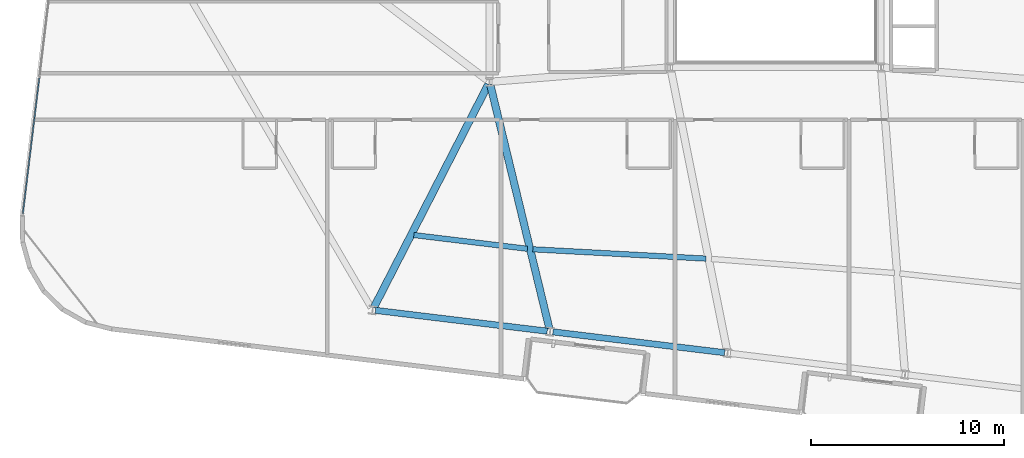
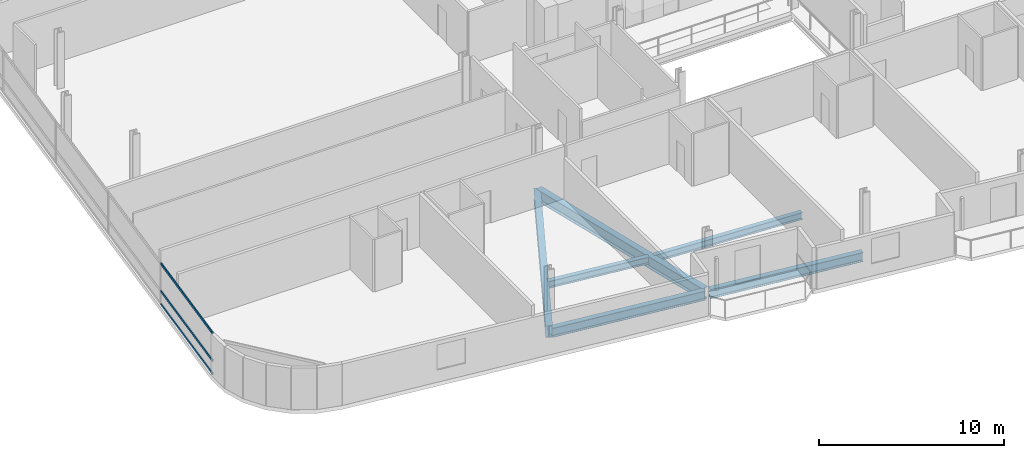
# One storey, part 3 of 26: 6 beams, 3 members, 1 element without a shape of its own.
"""IFC4 building model written with IfcOpenShell, lengths in metres."""

from ifc_helpers import new_model, si_unit, direction, frame, origin, origin_2d, place, context, subcontext, project, spatial, hollow_rectangle, i_section, extrude, material, layer, layer_set, material_profile, profile_set, type_object, element, aggregate, save


model = new_model("IFC4")

# Units and contexts
model_context = context("Model", 3, precision=1e-05, world=origin(), true_north=direction((0.0, 1.0)))
body_context = subcontext(model_context, "Body", "Model", "MODEL_VIEW")
ifc_project = project(units=[si_unit("LENGTHUNIT", "METRE"), si_unit("AREAUNIT", "SQUARE_METRE"), si_unit("VOLUMEUNIT", "CUBIC_METRE"), si_unit("PLANEANGLEUNIT", "RADIAN"), si_unit("MASSUNIT", "GRAM", prefix="KILO")], contexts=[model_context])

# Site, building, storey
site_placement = place(None, origin())
site = spatial("IfcSite", under=ifc_project, at=site_placement, CompositionType="ELEMENT")
building_placement = place(site_placement, origin())
building = spatial("IfcBuilding", under=site, at=building_placement, Name="Varnelok Gate Tower", CompositionType="ELEMENT")
storey_placement = place(building_placement, frame((0.0, 0.0, 151.300048828125)))
storey = spatial("IfcBuildingStorey", under=building, at=storey_placement, Name="L38", CompositionType="ELEMENT", Elevation=151.300048828125)

# Beams
ifc_material_1 = material(Name="Structural Steel ASTM A992 Grade 50", Category="steel")
ifc_material_profile_1 = material_profile(ifc_material_1, i_section(OverallWidth=0.280029296875, OverallDepth=0.462890625, WebThickness=0.0107421875, FlangeThickness=0.017333984375, FilletRadius=0.014892578125, at=origin_2d()), Name="W18X76")
ifc_profile_set_1 = profile_set([ifc_material_profile_1], Name="Structural Steel ASTM A992 Grade 50")
beam_type_1 = type_object("IfcBeamType", Name="BM-JST-W18X76", PredefinedType="JOIST", material=ifc_profile_set_1)
beam_1_placement = place(storey_placement, frame((20.482666015625, 10.875, -0.4814453125), z_axis=(0.992731840387, -0.120347385022, 0.0), x_axis=(0.120347385022, 0.992731840387, 0.0)))
element("IfcBeam", 1, at=beam_1_placement, inside=storey, type_object=beam_type_1, Name="L38 Sector Floor Joist 1", PredefinedType="JOIST", context=body_context, shape_type="SweptSolid", body=[
    extrude(i_section(OverallWidth=0.280029296875, OverallDepth=0.462890625, WebThickness=0.0107421875, FlangeThickness=0.017333984375, FilletRadius=0.014892578125, at=origin_2d()), origin(), (0.0, 0.0, 1.0), 5.91748046875),
])
beam_2_placement = place(storey_placement, frame((26.635986328125, 10.138427734375, -0.4814453125), z_axis=(0.998547263771, -0.053882854557, 0.0), x_axis=(0.053882854557, 0.998547263771, 0.0)))
element("IfcBeam", 2, at=beam_2_placement, inside=storey, type_object=beam_type_1, Name="L38 Sector Floor Joist 2", PredefinedType="JOIST", context=body_context, shape_type="SweptSolid", body=[
    extrude(i_section(OverallWidth=0.280029296875, OverallDepth=0.462890625, WebThickness=0.0107421875, FlangeThickness=0.017333984375, FilletRadius=0.014892578125, at=origin_2d()), origin(), (0.0, 0.0, 1.0), 8.97119140625),
])
ifc_material_profile_2 = material_profile(ifc_material_1, i_section(OverallWidth=0.381103515625, OverallDepth=0.77294921875, WebThickness=0.0166015625, FlangeThickness=0.027099609375, FilletRadius=0.02197265625, at=origin_2d()), Name="W30X173")
ifc_profile_set_2 = profile_set([ifc_material_profile_2], Name="Structural Steel ASTM A992 Grade 50")
beam_type_2 = type_object("IfcBeamType", Name="BM-PRI-W30X173", PredefinedType="BEAM", material=ifc_profile_set_2)
beam_3_placement = place(storey_placement, frame((24.33154296875, 18.66650390625, -0.636474609375), z_axis=(-0.456386604987, -0.889781583754, 0.0), x_axis=(0.889781583754, -0.456386604987, 0.0)))
element("IfcBeam", 3, at=beam_3_placement, inside=storey, type_object=beam_type_2, Name="L38 Radial Floor Girder 1", PredefinedType="BEAM", context=body_context, shape_type="SweptSolid", body=[
    extrude(i_section(OverallWidth=0.381103515625, OverallDepth=0.77294921875, WebThickness=0.0166015625, FlangeThickness=0.027099609375, FilletRadius=0.02197265625, at=origin_2d()), origin(), (0.0, 0.0, 1.0), 12.96533203125),
])
beam_4_placement = place(storey_placement, frame((24.435302734375, 18.654296875, -0.636474609375), z_axis=(0.235400453941, -0.971898465008, 0.0), x_axis=(0.971898465008, 0.235400453941, 0.0)))
element("IfcBeam", 4, at=beam_4_placement, inside=storey, type_object=beam_type_2, Name="L38 Radial Floor Girder 2", PredefinedType="BEAM", context=body_context, shape_type="SweptSolid", body=[
    extrude(i_section(OverallWidth=0.381103515625, OverallDepth=0.77294921875, WebThickness=0.0166015625, FlangeThickness=0.027099609375, FilletRadius=0.02197265625, at=origin_2d()), origin(), (0.0, 0.0, 1.0), 12.989990234375),
])
ifc_material_profile_3 = material_profile(ifc_material_1, i_section(OverallWidth=0.323974609375, OverallDepth=0.611083984375, WebThickness=0.0126953125, FlangeThickness=0.01904296875, FilletRadius=0.01806640625, at=origin_2d()), Name="W24X104")
ifc_profile_set_3 = profile_set([ifc_material_profile_3], Name="Structural Steel ASTM A992 Grade 50")
beam_type_3 = type_object("IfcBeamType", Name="BM-SPN-W24X104", PredefinedType="SPANDREL", material=ifc_profile_set_3)
for number, where, z_axis, x_axis, name in (
    (5, (18.49462890625, 6.978515625, -0.5556640625), (0.992734670707, -0.120324035735, 0.0), (0.120324035735, 0.992734670707, 0.0), "L38 Perimeter Spandrel Beam 1"),
    (6, (27.677490234375, 5.865478515625, -0.5556640625), (0.99273141198, -0.120350918849, 0.0), (0.120350918849, 0.99273141198, 0.0), "L38 Perimeter Spandrel Beam 2"),
):
    element("IfcBeam", number, at=place(storey_placement, frame(where, z_axis=z_axis, x_axis=x_axis)), inside=storey, type_object=beam_type_3, Name=name, PredefinedType="SPANDREL", context=body_context, shape_type="SweptSolid", body=[
        extrude(i_section(OverallWidth=0.323974609375, OverallDepth=0.611083984375, WebThickness=0.0126953125, FlangeThickness=0.01904296875, FilletRadius=0.01806640625, at=origin_2d()), origin(), (0.0, 0.0, 1.0), 8.949951171875),
    ])

# Curtain wall, members
ifc_material_2 = material(Name="Anodized Aluminum Alloy 6063-T6", Category="aluminium")
ifc_layer = layer(ifc_material_2, 0.179931640625)
ifc_layer_set = layer_set([ifc_layer], Name="Anodized Aluminum Alloy 6063-T6")
curtain_wall_type = type_object("IfcCurtainWallType", Name="CW3-HOTEL-VISION", PredefinedType="USERDEFINED", material=ifc_layer_set)
curtain_wall_placement = place(storey_placement, origin())
curtain_wall = element("IfcCurtainWall", 7, at=curtain_wall_placement, inside=storey, type_object=curtain_wall_type, Name="L38 West End Vision Curtain Wall", ObjectType="UNITISED CURTAIN WALL", PredefinedType="USERDEFINED")
ifc_material_profile_4 = material_profile(ifc_material_2, hollow_rectangle(XDim=0.06494140625, YDim=0.159912109375, WallThickness=0.00390625, at=origin_2d()), Name="ALU160X65X4")
ifc_profile_set_4 = profile_set([ifc_material_profile_4], Name="Anodized Aluminum Alloy 6063-T6")
member_type = type_object("IfcMemberType", Name="CW-TRAN-160", PredefinedType="USERDEFINED", material=ifc_profile_set_4)
member_1_placement = place(storey_placement, frame((0.2509765625, 11.955322265625, 0.032470703125), z_axis=(0.120344712857, 0.992732164326, 0.0), x_axis=(-0.992732164326, 0.120344712857, 0.0)))
member_1 = element("IfcMember", 8, at=member_1_placement, type_object=member_type, Name="CW3 transom 1.1", ObjectType="TRANSOM", PredefinedType="USERDEFINED", context=body_context, shape_type="SweptSolid", body=[
    extrude(hollow_rectangle(XDim=0.06494140625, YDim=0.159912109375, WallThickness=0.00390625, at=origin_2d()), origin(), (0.0, 0.0, 1.0), 7.102294921875),
])
member_2_placement = place(storey_placement, frame((0.2509765625, 11.955322265625, 0.89990234375), z_axis=(0.120344712857, 0.992732164326, 0.0), x_axis=(-0.992732164326, 0.120344712857, 0.0)))
member_2 = element("IfcMember", 9, at=member_2_placement, type_object=member_type, Name="CW3 transom 1.2", ObjectType="TRANSOM", PredefinedType="USERDEFINED", context=body_context, shape_type="SweptSolid", body=[
    extrude(hollow_rectangle(XDim=0.06494140625, YDim=0.159912109375, WallThickness=0.00390625, at=origin_2d()), origin(), (0.0, 0.0, 1.0), 7.102294921875),
])
member_3_placement = place(storey_placement, frame((0.2509765625, 11.955322265625, 2.697509765625), z_axis=(0.120344712857, 0.992732164326, 0.0), x_axis=(-0.992732164326, 0.120344712857, 0.0)))
member_3 = element("IfcMember", 10, at=member_3_placement, type_object=member_type, Name="CW3 transom 1.3", ObjectType="TRANSOM", PredefinedType="USERDEFINED", context=body_context, shape_type="SweptSolid", body=[
    extrude(hollow_rectangle(XDim=0.06494140625, YDim=0.159912109375, WallThickness=0.00390625, at=origin_2d()), origin(), (0.0, 0.0, 1.0), 7.102294921875),
])
aggregate(curtain_wall, [member_1, member_2, member_3])

save(model, "model.ifc")
